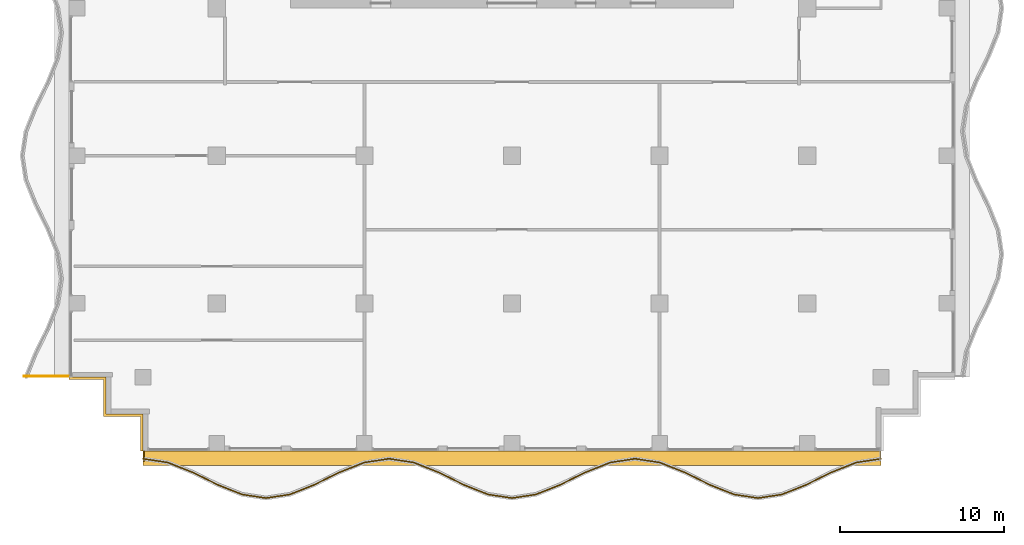
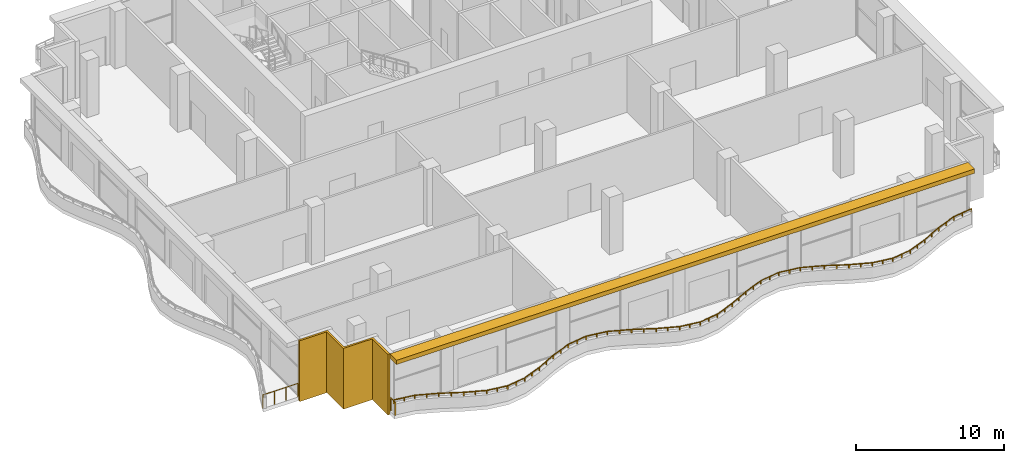
# One storey, part 11 of 15: 3 railings, 2 shading devices.
"""IFC4 building model written with IfcOpenShell, lengths in metres."""

from ifc_helpers import new_model, si_unit, direction, frame, origin, origin_2d, place, context, subcontext, project, spatial, polyline, rectangle, outline, extrude, material, layer, layer_set, type_object, element, save


model = new_model("IFC4")

# Units and contexts
model_context = context("Model", 3, precision=1e-05, world=origin(), true_north=direction((0.0, 1.0)))
body_context = subcontext(model_context, "Body", "Model", "MODEL_VIEW")
ifc_project = project(units=[si_unit("LENGTHUNIT", "METRE"), si_unit("AREAUNIT", "SQUARE_METRE"), si_unit("VOLUMEUNIT", "CUBIC_METRE"), si_unit("PLANEANGLEUNIT", "RADIAN"), si_unit("MASSUNIT", "GRAM", prefix="KILO")], contexts=[model_context])

# Site, building, storey
site_placement = place(None, origin())
site = spatial("IfcSite", under=ifc_project, at=site_placement, CompositionType="ELEMENT")
building_placement = place(site_placement, origin())
building = spatial("IfcBuilding", under=site, at=building_placement, Name="Orbiselva Terraces", CompositionType="ELEMENT")
storey_placement = place(building_placement, frame((0.0, 0.0, 233.8)))
storey = spatial("IfcBuildingStorey", under=building, at=storey_placement, Name="L59", CompositionType="ELEMENT", Elevation=233.8)

# Railings
ifc_material_1 = material(Name="Bonded two-ply safety glass balustrade, stainless steel posts", Category="steel")
railing_type_1 = type_object("IfcRailingType", Name="ENV-BALUSTRADE-1200", PredefinedType="BALUSTRADE", material=ifc_material_1)
railing_1_placement = place(storey_placement, frame((-22.481121, -22.976434, 0.9)))
element("IfcRailing", 1, at=railing_1_placement, inside=storey, type_object=railing_type_1, Name="Balcony balustrade L59 S", PredefinedType="BALUSTRADE", context=body_context, shape_type="SweptSolid", body=[
    extrude(outline(polyline([(0.028868, 0.0), (0.014434, 0.025), (-0.014434, 0.025), (-0.028868, 0.0), (-0.014434, -0.025), (0.014434, -0.025), (0.028868, 0.0)])), frame((0.0, 0.0, 0.275), z_axis=(0.988528588529, -0.151033869252, 0.0), x_axis=(0.151033869252, 0.988528588529, 0.0)), (0.0, 0.0, 1.0), 1.531776),
    extrude(outline(polyline([(0.028868, 0.0), (0.014434, 0.025), (-0.014434, 0.025), (-0.028868, 0.0), (-0.014434, -0.025), (0.014434, -0.025), (0.028868, 0.0)])), frame((1.514204, -0.23135, 0.275), z_axis=(0.92847681744, -0.371390359967, 0.0), x_axis=(0.371390359967, 0.92847681744, 0.0)), (0.0, 0.0, 1.0), 1.634838),
    extrude(outline(polyline([(0.028868, 0.0), (0.014434, 0.025), (-0.014434, 0.025), (-0.028868, 0.0), (-0.014434, -0.025), (0.014434, -0.025), (0.028868, 0.0)])), frame((3.032113, -0.838513, 0.275), z_axis=(0.896416672454, -0.443212307306, 0.0), x_axis=(0.443212307306, 0.896416672454, 0.0)), (0.0, 0.0, 1.0), 1.673329),
    extrude(outline(polyline([(0.028868, 0.0), (0.014434, 0.025), (-0.014434, 0.025), (-0.028868, 0.0), (-0.014434, -0.025), (0.014434, -0.025), (0.028868, 0.0)])), frame((4.532113, -1.580153, 0.275), z_axis=(0.928476561272, -0.371391000387, 0.0), x_axis=(0.371391000387, 0.928476561272, 0.0)), (0.0, 0.0, 1.0), 1.596261),
    extrude(outline(polyline([(0.028868, 0.0), (0.014434, 0.025), (-0.014434, 0.025), (-0.028868, 0.0), (-0.014434, -0.025), (0.014434, -0.025), (0.028868, 0.0)])), frame((6.014204, -2.17299, 0.275), z_axis=(0.988528606898, -0.151033749027, 0.0), x_axis=(0.151033749027, 0.988528606898, 0.0)), (0.0, 0.0, 1.0), 1.48394),
    extrude(outline(polyline([(0.028868, 0.0), (0.014434, 0.025), (-0.014434, 0.025), (-0.028868, 0.0), (-0.014434, -0.025), (0.014434, -0.025), (0.028868, 0.0)])), frame((7.481121, -2.397115, 0.275), z_axis=(0.988528606898, 0.151033749027, 0.0), x_axis=(-0.151033749027, 0.988528606898, 0.0)), (0.0, 0.0, 1.0), 1.48394),
    extrude(outline(polyline([(0.028868, 0.0), (0.014434, 0.025), (-0.014434, 0.025), (-0.028868, 0.0), (-0.014434, -0.025), (0.014434, -0.025), (0.028868, 0.0)])), frame((8.948038, -2.17299, 0.275), z_axis=(0.928476561272, 0.371391000387, 0.0), x_axis=(-0.371391000387, 0.928476561272, 0.0)), (0.0, 0.0, 1.0), 1.596261),
    extrude(outline(polyline([(0.028868, 0.0), (0.014434, 0.025), (-0.014434, 0.025), (-0.028868, 0.0), (-0.014434, -0.025), (0.014434, -0.025), (0.028868, 0.0)])), frame((10.430129, -1.580153, 0.275), z_axis=(0.896416672454, 0.443212307306, 0.0), x_axis=(-0.443212307306, 0.896416672454, 0.0)), (0.0, 0.0, 1.0), 1.673329),
    extrude(outline(polyline([(0.028868, 0.0), (0.014434, 0.025), (-0.014434, 0.025), (-0.028868, 0.0), (-0.014434, -0.025), (0.014434, -0.025), (0.028868, 0.0)])), frame((11.930129, -0.838513, 0.275), z_axis=(0.92847681744, 0.371390359967, 0.0), x_axis=(-0.371390359967, 0.92847681744, 0.0)), (0.0, 0.0, 1.0), 1.634838),
    extrude(outline(polyline([(0.028868, 0.0), (0.014434, 0.025), (-0.014434, 0.025), (-0.028868, 0.0), (-0.014434, -0.025), (0.014434, -0.025), (0.028868, 0.0)])), frame((13.448038, -0.23135, 0.275), z_axis=(0.988528536275, 0.151034211256, 0.0), x_axis=(-0.151034211256, 0.988528536275, 0.0)), (0.0, 0.0, 1.0), 1.550874),
    extrude(outline(polyline([(0.028868, 0.0), (0.014434, 0.025), (-0.014434, 0.025), (-0.028868, 0.0), (-0.014434, -0.025), (0.014434, -0.025), (0.028868, 0.0)])), frame((14.981121, 0.002885, 0.275), z_axis=(0.988528536275, -0.151034211256, 0.0), x_axis=(0.151034211256, 0.988528536275, 0.0)), (0.0, 0.0, 1.0), 1.550874),
    extrude(outline(polyline([(0.028868, 0.0), (0.014434, 0.025), (-0.014434, 0.025), (-0.028868, 0.0), (-0.014434, -0.025), (0.014434, -0.025), (0.028868, 0.0)])), frame((16.514204, -0.23135, 0.275), z_axis=(0.92847681744, -0.371390359967, 0.0), x_axis=(0.371390359967, 0.92847681744, 0.0)), (0.0, 0.0, 1.0), 1.634838),
    extrude(outline(polyline([(0.028868, 0.0), (0.014434, 0.025), (-0.014434, 0.025), (-0.028868, 0.0), (-0.014434, -0.025), (0.014434, -0.025), (0.028868, 0.0)])), frame((18.032113, -0.838513, 0.275), z_axis=(0.896416672454, -0.443212307306, 0.0), x_axis=(0.443212307306, 0.896416672454, 0.0)), (0.0, 0.0, 1.0), 1.673329),
    extrude(outline(polyline([(0.028868, 0.0), (0.014434, 0.025), (-0.014434, 0.025), (-0.028868, 0.0), (-0.014434, -0.025), (0.014434, -0.025), (0.028868, 0.0)])), frame((19.532113, -1.580153, 0.275), z_axis=(0.928476561272, -0.371391000387, 0.0), x_axis=(0.371391000387, 0.928476561272, 0.0)), (0.0, 0.0, 1.0), 1.596261),
    extrude(outline(polyline([(0.028868, 0.0), (0.014434, 0.025), (-0.014434, 0.025), (-0.028868, 0.0), (-0.014434, -0.025), (0.014434, -0.025), (0.028868, 0.0)])), frame((21.014204, -2.17299, 0.275), z_axis=(0.988528606898, -0.151033749027, 0.0), x_axis=(0.151033749027, 0.988528606898, 0.0)), (0.0, 0.0, 1.0), 1.48394),
    extrude(outline(polyline([(0.028868, 0.0), (0.014434, 0.025), (-0.014434, 0.025), (-0.028868, 0.0), (-0.014434, -0.025), (0.014434, -0.025), (0.028868, 0.0)])), frame((22.481121, -2.397115, 0.275), z_axis=(0.988528606898, 0.151033749027, 0.0), x_axis=(-0.151033749027, 0.988528606898, 0.0)), (0.0, 0.0, 1.0), 1.48394),
    extrude(outline(polyline([(0.028868, 0.0), (0.014434, 0.025), (-0.014434, 0.025), (-0.028868, 0.0), (-0.014434, -0.025), (0.014434, -0.025), (0.028868, 0.0)])), frame((23.948038, -2.17299, 0.275), z_axis=(0.928476561272, 0.371391000387, 0.0), x_axis=(-0.371391000387, 0.928476561272, 0.0)), (0.0, 0.0, 1.0), 1.596261),
    extrude(outline(polyline([(0.028868, 0.0), (0.014434, 0.025), (-0.014434, 0.025), (-0.028868, 0.0), (-0.014434, -0.025), (0.014434, -0.025), (0.028868, 0.0)])), frame((25.430129, -1.580153, 0.275), z_axis=(0.896416672454, 0.443212307306, 0.0), x_axis=(-0.443212307306, 0.896416672454, 0.0)), (0.0, 0.0, 1.0), 1.673329),
    extrude(outline(polyline([(0.028868, 0.0), (0.014434, 0.025), (-0.014434, 0.025), (-0.028868, 0.0), (-0.014434, -0.025), (0.014434, -0.025), (0.028868, 0.0)])), frame((26.930129, -0.838513, 0.275), z_axis=(0.92847681744, 0.371390359967, 0.0), x_axis=(-0.371390359967, 0.92847681744, 0.0)), (0.0, 0.0, 1.0), 1.634838),
    extrude(outline(polyline([(0.028868, 0.0), (0.014434, 0.025), (-0.014434, 0.025), (-0.028868, 0.0), (-0.014434, -0.025), (0.014434, -0.025), (0.028868, 0.0)])), frame((28.448038, -0.23135, 0.275), z_axis=(0.988528536275, 0.151034211256, 0.0), x_axis=(-0.151034211256, 0.988528536275, 0.0)), (0.0, 0.0, 1.0), 1.550874),
    extrude(outline(polyline([(0.028868, 0.0), (0.014434, 0.025), (-0.014434, 0.025), (-0.028868, 0.0), (-0.014434, -0.025), (0.014434, -0.025), (0.028868, 0.0)])), frame((29.981121, 0.002885, 0.275), z_axis=(0.988528536275, -0.151034211256, 0.0), x_axis=(0.151034211256, 0.988528536275, 0.0)), (0.0, 0.0, 1.0), 1.550874),
    extrude(outline(polyline([(0.028868, 0.0), (0.014434, 0.025), (-0.014434, 0.025), (-0.028868, 0.0), (-0.014434, -0.025), (0.014434, -0.025), (0.028868, 0.0)])), frame((31.514204, -0.23135, 0.275), z_axis=(0.92847681744, -0.371390359967, 0.0), x_axis=(0.371390359967, 0.92847681744, 0.0)), (0.0, 0.0, 1.0), 1.634838),
    extrude(outline(polyline([(0.028868, 0.0), (0.014434, 0.025), (-0.014434, 0.025), (-0.028868, 0.0), (-0.014434, -0.025), (0.014434, -0.025), (0.028868, 0.0)])), frame((33.032113, -0.838513, 0.275), z_axis=(0.896416672454, -0.443212307306, 0.0), x_axis=(0.443212307306, 0.896416672454, 0.0)), (0.0, 0.0, 1.0), 1.673329),
    extrude(outline(polyline([(0.028868, 0.0), (0.014434, 0.025), (-0.014434, 0.025), (-0.028868, 0.0), (-0.014434, -0.025), (0.014434, -0.025), (0.028868, 0.0)])), frame((34.532113, -1.580153, 0.275), z_axis=(0.928476561272, -0.371391000387, 0.0), x_axis=(0.371391000387, 0.928476561272, 0.0)), (0.0, 0.0, 1.0), 1.596261),
    extrude(outline(polyline([(0.028868, 0.0), (0.014434, 0.025), (-0.014434, 0.025), (-0.028868, 0.0), (-0.014434, -0.025), (0.014434, -0.025), (0.028868, 0.0)])), frame((36.014204, -2.17299, 0.275), z_axis=(0.988528606898, -0.151033749027, 0.0), x_axis=(0.151033749027, 0.988528606898, 0.0)), (0.0, 0.0, 1.0), 1.48394),
    extrude(outline(polyline([(0.028868, 0.0), (0.014434, 0.025), (-0.014434, 0.025), (-0.028868, 0.0), (-0.014434, -0.025), (0.014434, -0.025), (0.028868, 0.0)])), frame((37.481121, -2.397115, 0.275), z_axis=(0.988528606898, 0.151033749027, 0.0), x_axis=(-0.151033749027, 0.988528606898, 0.0)), (0.0, 0.0, 1.0), 1.48394),
    extrude(outline(polyline([(0.028868, 0.0), (0.014434, 0.025), (-0.014434, 0.025), (-0.028868, 0.0), (-0.014434, -0.025), (0.014434, -0.025), (0.028868, 0.0)])), frame((38.948038, -2.17299, 0.275), z_axis=(0.928476561272, 0.371391000387, 0.0), x_axis=(-0.371391000387, 0.928476561272, 0.0)), (0.0, 0.0, 1.0), 1.596261),
    extrude(outline(polyline([(0.028868, 0.0), (0.014434, 0.025), (-0.014434, 0.025), (-0.028868, 0.0), (-0.014434, -0.025), (0.014434, -0.025), (0.028868, 0.0)])), frame((40.430129, -1.580153, 0.275), z_axis=(0.896416672454, 0.443212307306, 0.0), x_axis=(-0.443212307306, 0.896416672454, 0.0)), (0.0, 0.0, 1.0), 1.673329),
    extrude(outline(polyline([(0.028868, 0.0), (0.014434, 0.025), (-0.014434, 0.025), (-0.028868, 0.0), (-0.014434, -0.025), (0.014434, -0.025), (0.028868, 0.0)])), frame((41.930129, -0.838513, 0.275), z_axis=(0.92847681744, 0.371390359967, 0.0), x_axis=(-0.371390359967, 0.92847681744, 0.0)), (0.0, 0.0, 1.0), 1.634838),
    extrude(outline(polyline([(0.028868, 0.0), (0.014434, 0.025), (-0.014434, 0.025), (-0.028868, 0.0), (-0.014434, -0.025), (0.014434, -0.025), (0.028868, 0.0)])), frame((43.448038, -0.23135, 0.275), z_axis=(0.988528588529, 0.151033869252, 0.0), x_axis=(-0.151033869252, 0.988528588529, 0.0)), (0.0, 0.0, 1.0), 1.531776),
    extrude(rectangle(XDim=0.05, YDim=0.05, at=origin_2d()), origin(), (0.0, 0.0, 1.0), 0.25),
    extrude(rectangle(XDim=0.05, YDim=0.05, at=origin_2d()), frame((0.757102, -0.115675, 0.0)), (0.0, 0.0, 1.0), 0.25),
    extrude(rectangle(XDim=0.05, YDim=0.05, at=origin_2d()), frame((1.514204, -0.23135, 0.0)), (0.0, 0.0, 1.0), 0.25),
    extrude(rectangle(XDim=0.05, YDim=0.05, at=origin_2d()), frame((2.273159, -0.534931, 0.0)), (0.0, 0.0, 1.0), 0.25),
    extrude(rectangle(XDim=0.05, YDim=0.05, at=origin_2d()), frame((3.032113, -0.838513, 0.0)), (0.0, 0.0, 1.0), 0.25),
    extrude(rectangle(XDim=0.05, YDim=0.05, at=origin_2d()), frame((3.782113, -1.209333, 0.0)), (0.0, 0.0, 1.0), 0.25),
    extrude(rectangle(XDim=0.05, YDim=0.05, at=origin_2d()), frame((4.532113, -1.580153, 0.0)), (0.0, 0.0, 1.0), 0.25),
    extrude(rectangle(XDim=0.05, YDim=0.05, at=origin_2d()), frame((5.273159, -1.876571, 0.0)), (0.0, 0.0, 1.0), 0.25),
    extrude(rectangle(XDim=0.05, YDim=0.05, at=origin_2d()), frame((6.014204, -2.17299, 0.0)), (0.0, 0.0, 1.0), 0.25),
    extrude(rectangle(XDim=0.05, YDim=0.05, at=origin_2d()), frame((6.747663, -2.285052, 0.0)), (0.0, 0.0, 1.0), 0.25),
    extrude(rectangle(XDim=0.05, YDim=0.05, at=origin_2d()), frame((7.481121, -2.397115, 0.0)), (0.0, 0.0, 1.0), 0.25),
    extrude(rectangle(XDim=0.05, YDim=0.05, at=origin_2d()), frame((8.21458, -2.285052, 0.0)), (0.0, 0.0, 1.0), 0.25),
    extrude(rectangle(XDim=0.05, YDim=0.05, at=origin_2d()), frame((8.948038, -2.17299, 0.0)), (0.0, 0.0, 1.0), 0.25),
    extrude(rectangle(XDim=0.05, YDim=0.05, at=origin_2d()), frame((9.689084, -1.876571, 0.0)), (0.0, 0.0, 1.0), 0.25),
    extrude(rectangle(XDim=0.05, YDim=0.05, at=origin_2d()), frame((10.430129, -1.580153, 0.0)), (0.0, 0.0, 1.0), 0.25),
    extrude(rectangle(XDim=0.05, YDim=0.05, at=origin_2d()), frame((11.180129, -1.209333, 0.0)), (0.0, 0.0, 1.0), 0.25),
    extrude(rectangle(XDim=0.05, YDim=0.05, at=origin_2d()), frame((11.930129, -0.838513, 0.0)), (0.0, 0.0, 1.0), 0.25),
    extrude(rectangle(XDim=0.05, YDim=0.05, at=origin_2d()), frame((12.689084, -0.534931, 0.0)), (0.0, 0.0, 1.0), 0.25),
    extrude(rectangle(XDim=0.05, YDim=0.05, at=origin_2d()), frame((13.448038, -0.23135, 0.0)), (0.0, 0.0, 1.0), 0.25),
    extrude(rectangle(XDim=0.05, YDim=0.05, at=origin_2d()), frame((14.21458, -0.114232, 0.0)), (0.0, 0.0, 1.0), 0.25),
    extrude(rectangle(XDim=0.05, YDim=0.05, at=origin_2d()), frame((14.981121, 0.002885, 0.0)), (0.0, 0.0, 1.0), 0.25),
    extrude(rectangle(XDim=0.05, YDim=0.05, at=origin_2d()), frame((15.747663, -0.114232, 0.0)), (0.0, 0.0, 1.0), 0.25),
    extrude(rectangle(XDim=0.05, YDim=0.05, at=origin_2d()), frame((16.514204, -0.23135, 0.0)), (0.0, 0.0, 1.0), 0.25),
    extrude(rectangle(XDim=0.05, YDim=0.05, at=origin_2d()), frame((17.273158, -0.534931, 0.0)), (0.0, 0.0, 1.0), 0.25),
    extrude(rectangle(XDim=0.05, YDim=0.05, at=origin_2d()), frame((18.032113, -0.838513, 0.0)), (0.0, 0.0, 1.0), 0.25),
    extrude(rectangle(XDim=0.05, YDim=0.05, at=origin_2d()), frame((18.782113, -1.209333, 0.0)), (0.0, 0.0, 1.0), 0.25),
    extrude(rectangle(XDim=0.05, YDim=0.05, at=origin_2d()), frame((19.532113, -1.580153, 0.0)), (0.0, 0.0, 1.0), 0.25),
    extrude(rectangle(XDim=0.05, YDim=0.05, at=origin_2d()), frame((20.273158, -1.876571, 0.0)), (0.0, 0.0, 1.0), 0.25),
    extrude(rectangle(XDim=0.05, YDim=0.05, at=origin_2d()), frame((21.014204, -2.17299, 0.0)), (0.0, 0.0, 1.0), 0.25),
    extrude(rectangle(XDim=0.05, YDim=0.05, at=origin_2d()), frame((21.747663, -2.285052, 0.0)), (0.0, 0.0, 1.0), 0.25),
    extrude(rectangle(XDim=0.05, YDim=0.05, at=origin_2d()), frame((22.481121, -2.397115, 0.0)), (0.0, 0.0, 1.0), 0.25),
    extrude(rectangle(XDim=0.05, YDim=0.05, at=origin_2d()), frame((23.21458, -2.285052, 0.0)), (0.0, 0.0, 1.0), 0.25),
    extrude(rectangle(XDim=0.05, YDim=0.05, at=origin_2d()), frame((23.948038, -2.17299, 0.0)), (0.0, 0.0, 1.0), 0.25),
    extrude(rectangle(XDim=0.05, YDim=0.05, at=origin_2d()), frame((24.689084, -1.876571, 0.0)), (0.0, 0.0, 1.0), 0.25),
    extrude(rectangle(XDim=0.05, YDim=0.05, at=origin_2d()), frame((25.430129, -1.580153, 0.0)), (0.0, 0.0, 1.0), 0.25),
    extrude(rectangle(XDim=0.05, YDim=0.05, at=origin_2d()), frame((26.180129, -1.209333, 0.0)), (0.0, 0.0, 1.0), 0.25),
    extrude(rectangle(XDim=0.05, YDim=0.05, at=origin_2d()), frame((26.930129, -0.838513, 0.0)), (0.0, 0.0, 1.0), 0.25),
    extrude(rectangle(XDim=0.05, YDim=0.05, at=origin_2d()), frame((27.689084, -0.534931, 0.0)), (0.0, 0.0, 1.0), 0.25),
    extrude(rectangle(XDim=0.05, YDim=0.05, at=origin_2d()), frame((28.448038, -0.23135, 0.0)), (0.0, 0.0, 1.0), 0.25),
    extrude(rectangle(XDim=0.05, YDim=0.05, at=origin_2d()), frame((29.21458, -0.114232, 0.0)), (0.0, 0.0, 1.0), 0.25),
    extrude(rectangle(XDim=0.05, YDim=0.05, at=origin_2d()), frame((29.981121, 0.002885, 0.0)), (0.0, 0.0, 1.0), 0.25),
    extrude(rectangle(XDim=0.05, YDim=0.05, at=origin_2d()), frame((30.747662, -0.114232, 0.0)), (0.0, 0.0, 1.0), 0.25),
    extrude(rectangle(XDim=0.05, YDim=0.05, at=origin_2d()), frame((31.514204, -0.23135, 0.0)), (0.0, 0.0, 1.0), 0.25),
    extrude(rectangle(XDim=0.05, YDim=0.05, at=origin_2d()), frame((32.273158, -0.534931, 0.0)), (0.0, 0.0, 1.0), 0.25),
    extrude(rectangle(XDim=0.05, YDim=0.05, at=origin_2d()), frame((33.032113, -0.838513, 0.0)), (0.0, 0.0, 1.0), 0.25),
    extrude(rectangle(XDim=0.05, YDim=0.05, at=origin_2d()), frame((33.782113, -1.209333, 0.0)), (0.0, 0.0, 1.0), 0.25),
    extrude(rectangle(XDim=0.05, YDim=0.05, at=origin_2d()), frame((34.532113, -1.580153, 0.0)), (0.0, 0.0, 1.0), 0.25),
    extrude(rectangle(XDim=0.05, YDim=0.05, at=origin_2d()), frame((35.273158, -1.876571, 0.0)), (0.0, 0.0, 1.0), 0.25),
    extrude(rectangle(XDim=0.05, YDim=0.05, at=origin_2d()), frame((36.014204, -2.17299, 0.0)), (0.0, 0.0, 1.0), 0.25),
    extrude(rectangle(XDim=0.05, YDim=0.05, at=origin_2d()), frame((36.747663, -2.285052, 0.0)), (0.0, 0.0, 1.0), 0.25),
    extrude(rectangle(XDim=0.05, YDim=0.05, at=origin_2d()), frame((37.481121, -2.397115, 0.0)), (0.0, 0.0, 1.0), 0.25),
    extrude(rectangle(XDim=0.05, YDim=0.05, at=origin_2d()), frame((38.21458, -2.285052, 0.0)), (0.0, 0.0, 1.0), 0.25),
    extrude(rectangle(XDim=0.05, YDim=0.05, at=origin_2d()), frame((38.948038, -2.17299, 0.0)), (0.0, 0.0, 1.0), 0.25),
    extrude(rectangle(XDim=0.05, YDim=0.05, at=origin_2d()), frame((39.689083, -1.876571, 0.0)), (0.0, 0.0, 1.0), 0.25),
    extrude(rectangle(XDim=0.05, YDim=0.05, at=origin_2d()), frame((40.430129, -1.580153, 0.0)), (0.0, 0.0, 1.0), 0.25),
    extrude(rectangle(XDim=0.05, YDim=0.05, at=origin_2d()), frame((41.180129, -1.209333, 0.0)), (0.0, 0.0, 1.0), 0.25),
    extrude(rectangle(XDim=0.05, YDim=0.05, at=origin_2d()), frame((41.930129, -0.838513, 0.0)), (0.0, 0.0, 1.0), 0.25),
    extrude(rectangle(XDim=0.05, YDim=0.05, at=origin_2d()), frame((42.689083, -0.534931, 0.0)), (0.0, 0.0, 1.0), 0.25),
    extrude(rectangle(XDim=0.05, YDim=0.05, at=origin_2d()), frame((43.448038, -0.23135, 0.0)), (0.0, 0.0, 1.0), 0.25),
    extrude(rectangle(XDim=0.05, YDim=0.05, at=origin_2d()), frame((44.20514, -0.115675, 0.0)), (0.0, 0.0, 1.0), 0.25),
    extrude(rectangle(XDim=0.05, YDim=0.05, at=origin_2d()), frame((44.962242, 0.0, 0.0)), (0.0, 0.0, 1.0), 0.25),
])
ifc_material_2 = material(Name="Stainless steel rail and posts", Category="steel")
railing_type_2 = type_object("IfcRailingType", Name="ENV-GUARD-1105", PredefinedType="BALUSTRADE", material=ifc_material_2)
railing_2_placement = place(storey_placement, frame((-22.44, -23.100379, 0.0)))
element("IfcRailing", 2, at=railing_2_placement, inside=storey, type_object=railing_type_2, Name="Balcony end guard L59 S", PredefinedType="BALUSTRADE", context=body_context, shape_type="SweptSolid", body=[
    extrude(outline(polyline([(0.028868, 0.0), (0.014434, 0.025), (-0.014434, 0.025), (-0.028868, 0.0), (-0.014434, -0.025), (0.014434, -0.025), (0.028868, 0.0)])), frame((0.0, 0.0, 1.08), z_axis=(0.0, 1.0, 0.0), x_axis=(-1.0, 0.0, 0.0)), (0.0, 0.0, 1.0), 0.575379),
    extrude(rectangle(XDim=0.05, YDim=0.05, at=origin_2d()), origin(), (0.0, 0.0, 1.0), 1.055),
    extrude(rectangle(XDim=0.05, YDim=0.05, at=origin_2d()), frame((0.0, 0.575379, 0.0)), (0.0, 0.0, 1.0), 1.055),
])
railing_3_placement = place(storey_placement, frame((-29.752788, -17.94, 0.0)))
element("IfcRailing", 3, at=railing_3_placement, inside=storey, type_object=railing_type_2, Name="Balcony end guard L59 W", PredefinedType="BALUSTRADE", context=body_context, shape_type="SweptSolid", body=[
    extrude(outline(polyline([(0.028868, 0.0), (0.014434, 0.025), (-0.014434, 0.025), (-0.028868, 0.0), (-0.014434, -0.025), (0.014434, -0.025), (0.028868, 0.0)])), frame((0.0, 0.0, 1.08), z_axis=(1.0, 0.0, 0.0), x_axis=(0.0, 1.0, 0.0)), (0.0, 0.0, 1.0), 2.727788),
    extrude(rectangle(XDim=0.05, YDim=0.05, at=origin_2d()), origin(), (0.0, 0.0, 1.0), 1.055),
    extrude(rectangle(XDim=0.05, YDim=0.05, at=origin_2d()), frame((0.909263, 0.0, 0.0)), (0.0, 0.0, 1.0), 1.055),
    extrude(rectangle(XDim=0.05, YDim=0.05, at=origin_2d()), frame((1.818525, 0.0, 0.0)), (0.0, 0.0, 1.0), 1.055),
    extrude(rectangle(XDim=0.05, YDim=0.05, at=origin_2d()), frame((2.727788, 0.0, 0.0)), (0.0, 0.0, 1.0), 1.055),
])

# Shading devices
ifc_material_3 = material(Name="Terracotta louvre screen", Category="masonry")
ifc_layer_1 = layer(ifc_material_3, 0.15)
ifc_layer_set_1 = layer_set([ifc_layer_1], Name="Terracotta louvre screen")
shading_device_type_1 = type_object("IfcShadingDeviceType", Name="ENV-SCREEN-150", PredefinedType="USERDEFINED", material=ifc_layer_set_1)
shading_device_1_placement = place(storey_placement, frame((0.0, 0.0, -0.3)))
element("IfcShadingDevice", 4, at=shading_device_1_placement, inside=storey, type_object=shading_device_type_1, Name="Louvre screen L59 SW", ObjectType="SCREEN", PredefinedType="USERDEFINED", context=body_context, shape_type="SweptSolid", body=[
    extrude(outline(polyline([(-27.0, -18.15), (-24.9, -18.15), (-24.9, -20.4), (-22.65, -20.4), (-22.65, -22.5), (-22.5, -22.5), (-22.5, -20.25), (-24.75, -20.25), (-24.75, -18.0), (-27.0, -18.0), (-27.0, -18.15)])), origin(), (0.0, 0.0, 1.0), 5.0),
])
ifc_material_4 = material(Name="Terracotta baguette sunshade", Category="masonry")
ifc_layer_2 = layer(ifc_material_4, 0.35)
ifc_layer_set_2 = layer_set([ifc_layer_2], Name="Terracotta baguette sunshade")
shading_device_type_2 = type_object("IfcShadingDeviceType", Name="ENV-SUNSHADE-900x350", PredefinedType="USERDEFINED", material=ifc_layer_set_2)
shading_device_2_placement = place(storey_placement, frame((0.0, 0.0, 4.35)))
element("IfcShadingDevice", 5, at=shading_device_2_placement, inside=storey, type_object=shading_device_type_2, Name="Sunshade band L59 S", ObjectType="SUNSHADE", PredefinedType="USERDEFINED", context=body_context, shape_type="SweptSolid", body=[
    extrude(outline(polyline([(-22.5, -23.4), (22.5, -23.4), (22.5, -22.5), (-22.5, -22.5), (-22.5, -23.4)])), origin(), (0.0, 0.0, 1.0), 0.35),
])

save(model, "model.ifc")
